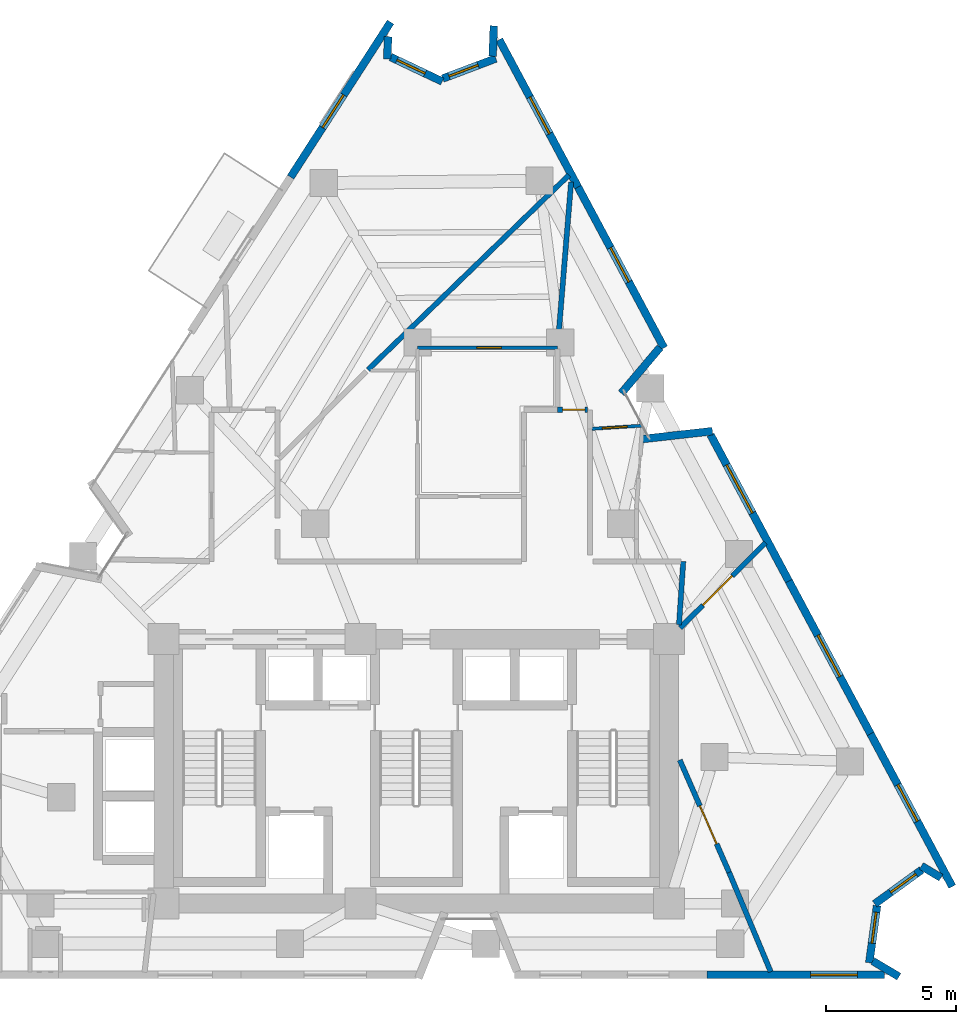
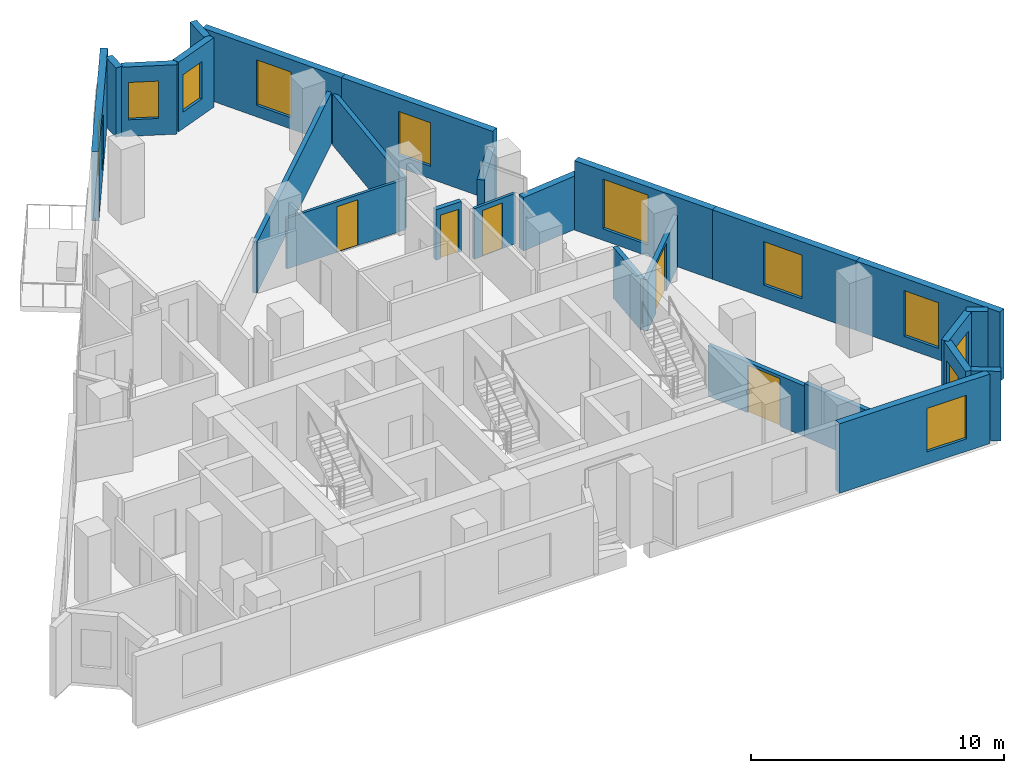
# One storey, part 8 of 10: 26 walls, 11 windows, 5 doors, 16 openings.
"""IFC4 building model written with IfcOpenShell, lengths in metres."""

from ifc_helpers import new_model, si_unit, direction, frame, frame_2d, origin, place, context, subcontext, project, spatial, rectangle, extrude, material, layer, layer_set, type_object, element, fill, save


model = new_model("IFC4")

# Units and contexts
model_context = context("Model", 3, precision=1e-05, world=origin(), true_north=direction((0.0, 1.0)))
body_context = subcontext(model_context, "Body", "Model", "MODEL_VIEW")
ifc_project = project(units=[si_unit("LENGTHUNIT", "METRE"), si_unit("AREAUNIT", "SQUARE_METRE"), si_unit("VOLUMEUNIT", "CUBIC_METRE"), si_unit("PLANEANGLEUNIT", "RADIAN"), si_unit("MASSUNIT", "GRAM", prefix="KILO")], contexts=[model_context])

# Site, building, storey
site_placement = place(None, origin())
site = spatial("IfcSite", under=ifc_project, at=site_placement, CompositionType="ELEMENT")
building_placement = place(site_placement, origin())
building = spatial("IfcBuilding", under=site, at=building_placement, Name="Almagre Mirador Tower", CompositionType="ELEMENT")
storey_placement = place(building_placement, frame((0.0, 0.0, 186.0)))
storey = spatial("IfcBuildingStorey", under=building, at=storey_placement, Name="L48", CompositionType="ELEMENT", Elevation=186.0)

# Wall, opening, window
ifc_material_1 = material(Name="Precast concrete C50/60", Category="concrete")
ifc_layer_1 = layer(ifc_material_1, 0.300048828125)
ifc_layer_set_1 = layer_set([ifc_layer_1], Name="Precast concrete C50/60")
wall_type_1 = type_object("IfcWallType", Name="WAL-EXT-300", PredefinedType="SOLIDWALL", material=ifc_layer_set_1)
wall_1_placement = place(storey_placement, frame((32.450927734375, 32.576904296875, 0.0), z_axis=(0.0, 0.0, 1.0), x_axis=(0.542031523986, 0.840358154006, 0.0)))
wall_1 = element("IfcWall", 1, at=wall_1_placement, inside=storey, type_object=wall_type_1, Name="L48 expressed almagre precast frame wall 04", PredefinedType="SOLIDWALL", context=body_context, shape_type="SweptSolid", body=[
    extrude(rectangle(XDim=7.11572265625, YDim=0.300048828125, at=frame_2d((3.557861328125, 0.0))), origin(), (0.0, 0.0, 1.0), 3.35009765625),
])
opening_1_placement = place(wall_1_placement, frame((2.27490234375, 0.0, 0.60009765625)))
opening_1 = element("IfcOpeningElement", 2, at=opening_1_placement, cuts=wall_1, Name="Opening WN-03", PredefinedType="OPENING", context=body_context, shape_type="SweptSolid", body=[
    extrude(rectangle(XDim=1.5, YDim=2.10009765625, at=frame_2d((0.75, 1.050048828125))), frame((0.0, 0.159902, 0.0), z_axis=(0.0, -1.0, 0.0), x_axis=(1.0, 0.0, 0.0)), (0.0, 0.0, 1.0), 0.320049),
])
ifc_material_2 = material(Name="Dark solar-control laminated hurricane glass", Category="glass")
window_type_1 = type_object("IfcWindowType", Name="WIN-1500X2100", PartitioningType="DOUBLE_PANEL_VERTICAL", PredefinedType="WINDOW", material=ifc_material_2)
window_1_placement = place(opening_1_placement, origin())
window_1 = element("IfcWindow", 3, at=window_1_placement, inside=storey, type_object=window_type_1, Name="L48 recessed hurricane window L48-RST-G", OverallHeight=2.10009765625, OverallWidth=1.5, PartitioningType="SINGLE_PANEL", PredefinedType="WINDOW", context=body_context, shape_type="SweptSolid", body=[
    extrude(rectangle(XDim=1.5, YDim=2.10009765625, at=frame_2d((0.75, 1.050048828125))), frame((0.0, 0.030029296875, 0.0), z_axis=(0.0, -1.0, 0.0), x_axis=(1.0, 0.0, 0.0)), (0.0, 0.0, 1.0), 0.06005859375),
])
fill(opening_1, window_1)

# Wall
wall_2_placement = place(storey_placement, frame((36.213623046875, 37.994384765625, 0.0), z_axis=(0.0, 0.0, 1.0), x_axis=(-0.040926134278, -0.999162174791, 0.0)))
element("IfcWall", 4, at=wall_2_placement, inside=storey, type_object=wall_type_1, Name="L48 expressed almagre precast frame wall 05", PredefinedType="SOLIDWALL", context=body_context, shape_type="SweptSolid", body=[
    extrude(rectangle(XDim=0.864990234375, YDim=0.300048828125, at=frame_2d((0.4326171875, 0.0))), origin(), (0.0, 0.0, 1.0), 3.35009765625),
])

# Wall, opening, window
wall_3_placement = place(storey_placement, frame((36.310546875, 37.2099609375, 0.0), z_axis=(0.0, 0.0, 1.0), x_axis=(0.903471604204, -0.428647944585, 0.0)))
wall_3 = element("IfcWall", 5, at=wall_3_placement, inside=storey, type_object=wall_type_1, Name="L48 expressed almagre precast frame wall 06", PredefinedType="SOLIDWALL", context=body_context, shape_type="SweptSolid", body=[
    extrude(rectangle(XDim=2.204833984375, YDim=0.300048828125, at=frame_2d((1.1025390625, 0.0))), origin(), (0.0, 0.0, 1.0), 3.35009765625),
])
opening_2_placement = place(wall_3_placement, frame((0.27001953125, 0.0, 0.800048828125)))
opening_2 = element("IfcOpeningElement", 6, at=opening_2_placement, cuts=wall_3, Name="Opening WN-04", PredefinedType="OPENING", context=body_context, shape_type="SweptSolid", body=[
    extrude(rectangle(XDim=1.199951171875, YDim=1.800048828125, at=frame_2d((0.60009765625, 0.89990234375))), frame((0.0, 0.159902, 0.0), z_axis=(0.0, -1.0, 0.0), x_axis=(1.0, 0.0, 0.0)), (0.0, 0.0, 1.0), 0.320049),
])
ifc_material_3 = material(Name="Dark solar-control laminated hurricane glass", Category="glass")
window_type_2 = type_object("IfcWindowType", Name="WIN-1200X1800", PartitioningType="SINGLE_PANEL", PredefinedType="WINDOW", material=ifc_material_3)
window_2_placement = place(opening_2_placement, origin())
window_2 = element("IfcWindow", 7, at=window_2_placement, inside=storey, type_object=window_type_2, Name="L48 recessed hurricane window L48-RST-G", OverallHeight=1.800048828125, OverallWidth=1.199951171875, PartitioningType="SINGLE_PANEL", PredefinedType="WINDOW", context=body_context, shape_type="SweptSolid", body=[
    extrude(rectangle(XDim=1.199951171875, YDim=1.800048828125, at=frame_2d((0.60009765625, 0.89990234375))), frame((0.0, 0.030029296875, 0.0), z_axis=(0.0, -1.0, 0.0), x_axis=(1.0, 0.0, 0.0)), (0.0, 0.0, 1.0), 0.06005859375),
])
fill(opening_2, window_2)

wall_4_placement = place(storey_placement, frame((38.31640625, 36.3779296875, 0.0), z_axis=(0.0, 0.0, 1.0), x_axis=(0.935503953589, 0.353316222129, 0.0)))
wall_4 = element("IfcWall", 8, at=wall_4_placement, inside=storey, type_object=wall_type_1, Name="L48 expressed almagre precast frame wall 07", PredefinedType="SOLIDWALL", context=body_context, shape_type="SweptSolid", body=[
    extrude(rectangle(XDim=2.1953125, YDim=0.300048828125, at=frame_2d((1.09765625, 0.0))), origin(), (0.0, 0.0, 1.0), 3.35009765625),
])
opening_3_placement = place(wall_4_placement, frame((0.260009765625, 0.0, 0.800048828125)))
opening_3 = element("IfcOpeningElement", 9, at=opening_3_placement, cuts=wall_4, Name="Opening WN-04", PredefinedType="OPENING", context=body_context, shape_type="SweptSolid", body=[
    extrude(rectangle(XDim=1.199951171875, YDim=1.800048828125, at=frame_2d((0.60009765625, 0.89990234375))), frame((0.0, 0.159902, 0.0), z_axis=(0.0, -1.0, 0.0), x_axis=(1.0, 0.0, 0.0)), (0.0, 0.0, 1.0), 0.320049),
])
window_3_placement = place(opening_3_placement, origin())
window_3 = element("IfcWindow", 10, at=window_3_placement, inside=storey, type_object=window_type_2, Name="L48 recessed hurricane window L48-RST-G", OverallHeight=1.800048828125, OverallWidth=1.199951171875, PartitioningType="SINGLE_PANEL", PredefinedType="WINDOW", context=body_context, shape_type="SweptSolid", body=[
    extrude(rectangle(XDim=1.199951171875, YDim=1.800048828125, at=frame_2d((0.60009765625, 0.89990234375))), frame((0.0, 0.030029296875, 0.0), z_axis=(0.0, -1.0, 0.0), x_axis=(1.0, 0.0, 0.0)), (0.0, 0.0, 1.0), 0.06005859375),
])
fill(opening_3, window_3)

# Wall
wall_5_placement = place(storey_placement, frame((40.24462890625, 37.239013671875, 0.0), z_axis=(0.0, 0.0, 1.0), x_axis=(0.040939027533, 0.999161646594, 0.0)))
element("IfcWall", 11, at=wall_5_placement, inside=storey, type_object=wall_type_1, Name="L48 expressed almagre precast frame wall 08", PredefinedType="SOLIDWALL", context=body_context, shape_type="SweptSolid", body=[
    extrude(rectangle(XDim=1.1748046875, YDim=0.300048828125, at=frame_2d((0.58740234375, 0.0))), origin(), (0.0, 0.0, 1.0), 3.35009765625),
])

# Wall, opening, window
wall_6_placement = place(storey_placement, frame((40.499267578125, 37.876220703125, 0.0), z_axis=(0.0, 0.0, 1.0), x_axis=(0.471749487015, -0.881732624723, 0.0)))
wall_6 = element("IfcWall", 12, at=wall_6_placement, inside=storey, type_object=wall_type_1, Name="L48 expressed almagre precast frame wall 09", PredefinedType="SOLIDWALL", context=body_context, shape_type="SweptSolid", body=[
    extrude(rectangle(XDim=6.44677734375, YDim=0.300048828125, at=frame_2d((3.223388671875, 0.0))), origin(), (0.0, 0.0, 1.0), 3.35009765625),
])
opening_4_placement = place(wall_6_placement, frame((2.510009765625, 0.0, 0.550048828125)))
opening_4 = element("IfcOpeningElement", 13, at=opening_4_placement, cuts=wall_6, Name="Opening WN-06", PredefinedType="OPENING", context=body_context, shape_type="SweptSolid", body=[
    extrude(rectangle(XDim=1.60009765625, YDim=2.199951171875, at=frame_2d((0.800048828125, 1.10009765625))), frame((0.0, 0.159902, 0.0), z_axis=(0.0, -1.0, 0.0), x_axis=(1.0, 0.0, 0.0)), (0.0, 0.0, 1.0), 0.320049),
])
ifc_material_4 = material(Name="Dark solar-control laminated hurricane glass", Category="glass")
window_type_3 = type_object("IfcWindowType", Name="WIN-1600X2200", PartitioningType="DOUBLE_PANEL_VERTICAL", PredefinedType="WINDOW", material=ifc_material_4)
window_4_placement = place(opening_4_placement, origin())
window_4 = element("IfcWindow", 14, at=window_4_placement, inside=storey, type_object=window_type_3, Name="L48 recessed hurricane window L48-RST-G", OverallHeight=2.199951171875, OverallWidth=1.60009765625, PartitioningType="SINGLE_PANEL", PredefinedType="WINDOW", context=body_context, shape_type="SweptSolid", body=[
    extrude(rectangle(XDim=1.60009765625, YDim=2.199951171875, at=frame_2d((0.800048828125, 1.10009765625))), frame((0.0, 0.030029296875, 0.0), z_axis=(0.0, -1.0, 0.0), x_axis=(1.0, 0.0, 0.0)), (0.0, 0.0, 1.0), 0.06005859375),
])
fill(opening_4, window_4)

wall_7_placement = place(storey_placement, frame((43.54052734375, 32.19189453125, 0.0), z_axis=(0.0, 0.0, 1.0), x_axis=(0.471760157183, -0.881726915827, 0.0)))
wall_7 = element("IfcWall", 15, at=wall_7_placement, inside=storey, type_object=wall_type_1, Name="L48 expressed almagre precast frame wall 10", PredefinedType="SOLIDWALL", context=body_context, shape_type="SweptSolid", body=[
    extrude(rectangle(XDim=7.03662109375, YDim=0.300048828125, at=frame_2d((3.518310546875, 0.0))), origin(), (0.0, 0.0, 1.0), 3.35009765625),
])
opening_5_placement = place(wall_7_placement, frame((2.64990234375, 0.0, 0.60009765625)))
opening_5 = element("IfcOpeningElement", 16, at=opening_5_placement, cuts=wall_7, Name="Opening WN-03", PredefinedType="OPENING", context=body_context, shape_type="SweptSolid", body=[
    extrude(rectangle(XDim=1.5, YDim=2.10009765625, at=frame_2d((0.75, 1.050048828125))), frame((0.0, 0.159902, 0.0), z_axis=(0.0, -1.0, 0.0), x_axis=(1.0, 0.0, 0.0)), (0.0, 0.0, 1.0), 0.320049),
])
window_5_placement = place(opening_5_placement, origin())
window_5 = element("IfcWindow", 17, at=window_5_placement, inside=storey, type_object=window_type_1, Name="L48 recessed hurricane window L48-UF-ST", OverallHeight=2.10009765625, OverallWidth=1.5, PartitioningType="SINGLE_PANEL", PredefinedType="WINDOW", context=body_context, shape_type="SweptSolid", body=[
    extrude(rectangle(XDim=1.5, YDim=2.10009765625, at=frame_2d((0.75, 1.050048828125))), frame((0.0, 0.030029296875, 0.0), z_axis=(0.0, -1.0, 0.0), x_axis=(1.0, 0.0, 0.0)), (0.0, 0.0, 1.0), 0.06005859375),
])
fill(opening_5, window_5)

# Walls
wall_8_placement = place(storey_placement, frame((46.706787109375, 26.0078125, 0.0), z_axis=(0.0, 0.0, 1.0), x_axis=(-0.645172623399, -0.76403683551, 0.0)))
element("IfcWall", 18, at=wall_8_placement, inside=storey, type_object=wall_type_1, Name="L48 expressed almagre precast frame wall 11", PredefinedType="SOLIDWALL", context=body_context, shape_type="SweptSolid", body=[
    extrude(rectangle(XDim=2.31884765625, YDim=0.300048828125, at=frame_2d((1.159423828125, 0.0))), origin(), (0.0, 0.0, 1.0), 2.574951171875),
])
wall_9_placement = place(storey_placement, frame((46.04052734375, 22.47216796875, 0.0), z_axis=(0.0, 0.0, 1.0), x_axis=(0.993671441146, 0.112325718565, 0.0)))
element("IfcWall", 19, at=wall_9_placement, inside=storey, type_object=wall_type_1, Name="L48 expressed almagre precast frame wall 12", PredefinedType="SOLIDWALL", context=body_context, shape_type="SweptSolid", body=[
    extrude(rectangle(XDim=2.70166015625, YDim=0.300048828125, at=frame_2d((1.350830078125, 0.0))), origin(), (0.0, 0.0, 1.0), 2.574951171875),
])

# Wall, opening, window
wall_10_placement = place(storey_placement, frame((48.652099609375, 22.636474609375, 0.0), z_axis=(0.0, 0.0, 1.0), x_axis=(0.471747381443, -0.881733751254, 0.0)))
wall_10 = element("IfcWall", 20, at=wall_10_placement, inside=storey, type_object=wall_type_1, Name="L48 expressed almagre precast frame wall 13", PredefinedType="SOLIDWALL", context=body_context, shape_type="SweptSolid", body=[
    extrude(rectangle(XDim=6.40380859375, YDim=0.300048828125, at=frame_2d((3.201904296875, 0.0))), origin(), (0.0, 0.0, 1.0), 3.35009765625),
])
opening_6_placement = place(wall_10_placement, frame((1.320068359375, 0.0, 0.550048828125)))
opening_6 = element("IfcOpeningElement", 21, at=opening_6_placement, cuts=wall_10, Name="Opening WN-05", PredefinedType="OPENING", context=body_context, shape_type="SweptSolid", body=[
    extrude(rectangle(XDim=2.10009765625, YDim=2.39990234375, at=frame_2d((1.050048828125, 1.199951171875))), frame((0.0, 0.159902, 0.0), z_axis=(0.0, -1.0, 0.0), x_axis=(1.0, 0.0, 0.0)), (0.0, 0.0, 1.0), 0.320049),
])
ifc_material_5 = material(Name="Dark solar-control laminated hurricane glass", Category="glass")
window_type_4 = type_object("IfcWindowType", Name="WIN-2100X2400", PartitioningType="DOUBLE_PANEL_VERTICAL", PredefinedType="WINDOW", material=ifc_material_5)
window_6_placement = place(opening_6_placement, origin())
window_6 = element("IfcWindow", 22, at=window_6_placement, inside=storey, type_object=window_type_4, Name="L48 recessed hurricane window L48-UF-BT", OverallHeight=2.39990234375, OverallWidth=2.10009765625, PartitioningType="SINGLE_PANEL", PredefinedType="WINDOW", context=body_context, shape_type="SweptSolid", body=[
    extrude(rectangle(XDim=2.10009765625, YDim=2.39990234375, at=frame_2d((1.050048828125, 1.199951171875))), frame((0.0, 0.030029296875, 0.0), z_axis=(0.0, -1.0, 0.0), x_axis=(1.0, 0.0, 0.0)), (0.0, 0.0, 1.0), 0.06005859375),
])
fill(opening_6, window_6)

wall_11_placement = place(storey_placement, frame((51.673095703125, 16.989990234375, 0.0), z_axis=(0.0, 0.0, 1.0), x_axis=(0.471736796599, -0.881739414303, 0.0)))
wall_11 = element("IfcWall", 23, at=wall_11_placement, inside=storey, type_object=wall_type_1, Name="L48 expressed almagre precast frame wall 14", PredefinedType="SOLIDWALL", context=body_context, shape_type="SweptSolid", body=[
    extrude(rectangle(XDim=6.683349609375, YDim=0.300048828125, at=frame_2d((3.341796875, 0.0))), origin(), (0.0, 0.0, 1.0), 3.35009765625),
])
opening_7_placement = place(wall_11_placement, frame((2.375, 0.0, 0.60009765625)))
opening_7 = element("IfcOpeningElement", 24, at=opening_7_placement, cuts=wall_11, Name="Opening WN-01", PredefinedType="OPENING", context=body_context, shape_type="SweptSolid", body=[
    extrude(rectangle(XDim=1.800048828125, YDim=2.10009765625, at=frame_2d((0.89990234375, 1.050048828125))), frame((0.0, 0.159902, 0.0), z_axis=(0.0, -1.0, 0.0), x_axis=(1.0, 0.0, 0.0)), (0.0, 0.0, 1.0), 0.320049),
])
ifc_material_6 = material(Name="Dark solar-control laminated hurricane glass", Category="glass")
window_type_5 = type_object("IfcWindowType", Name="WIN-1800X2100", PartitioningType="DOUBLE_PANEL_VERTICAL", PredefinedType="WINDOW", material=ifc_material_6)
window_7_placement = place(opening_7_placement, origin())
window_7 = element("IfcWindow", 25, at=window_7_placement, inside=storey, type_object=window_type_5, Name="L48 recessed hurricane window L48-UC-KT", OverallHeight=2.10009765625, OverallWidth=1.800048828125, PartitioningType="SINGLE_PANEL", PredefinedType="WINDOW", context=body_context, shape_type="SweptSolid", body=[
    extrude(rectangle(XDim=1.800048828125, YDim=2.10009765625, at=frame_2d((0.89990234375, 1.050048828125))), frame((0.0, 0.030029296875, 0.0), z_axis=(0.0, -1.0, 0.0), x_axis=(1.0, 0.0, 0.0)), (0.0, 0.0, 1.0), 0.06005859375),
])
fill(opening_7, window_7)

wall_12_placement = place(storey_placement, frame((54.825927734375, 11.096923828125, 0.0), z_axis=(0.0, 0.0, 1.0), x_axis=(0.471750001728, -0.881732349338, 0.0)))
wall_12 = element("IfcWall", 26, at=wall_12_placement, inside=storey, type_object=wall_type_1, Name="L48 expressed almagre precast frame wall 15", PredefinedType="SOLIDWALL", context=body_context, shape_type="SweptSolid", body=[
    extrude(rectangle(XDim=6.683837890625, YDim=0.300048828125, at=frame_2d((3.341796875, 0.0))), origin(), (0.0, 0.0, 1.0), 3.35009765625),
])
opening_8_placement = place(wall_12_placement, frame((2.22509765625, 0.0, 0.550048828125)))
opening_8 = element("IfcOpeningElement", 27, at=opening_8_placement, cuts=wall_12, Name="Opening WN-06", PredefinedType="OPENING", context=body_context, shape_type="SweptSolid", body=[
    extrude(rectangle(XDim=1.60009765625, YDim=2.199951171875, at=frame_2d((0.800048828125, 1.10009765625))), frame((0.0, 0.159902, 0.0), z_axis=(0.0, -1.0, 0.0), x_axis=(1.0, 0.0, 0.0)), (0.0, 0.0, 1.0), 0.320049),
])
window_8_placement = place(opening_8_placement, origin())
window_8 = element("IfcWindow", 28, at=window_8_placement, inside=storey, type_object=window_type_3, Name="L48 recessed hurricane window L48-UC-MB", OverallHeight=2.199951171875, OverallWidth=1.60009765625, PartitioningType="SINGLE_PANEL", PredefinedType="WINDOW", context=body_context, shape_type="SweptSolid", body=[
    extrude(rectangle(XDim=1.60009765625, YDim=2.199951171875, at=frame_2d((0.800048828125, 1.10009765625))), frame((0.0, 0.030029296875, 0.0), z_axis=(0.0, -1.0, 0.0), x_axis=(1.0, 0.0, 0.0)), (0.0, 0.0, 1.0), 0.06005859375),
])
fill(opening_8, window_8)

# Wall
wall_13_placement = place(storey_placement, frame((57.5439453125, 5.5478515625, 0.0), z_axis=(0.0, 0.0, 1.0), x_axis=(-0.857957606383, 0.513720493702, 0.0)))
element("IfcWall", 29, at=wall_13_placement, inside=storey, type_object=wall_type_1, Name="L48 expressed almagre precast frame wall 16", PredefinedType="SOLIDWALL", context=body_context, shape_type="SweptSolid", body=[
    extrude(rectangle(XDim=0.880126953125, YDim=0.300048828125, at=frame_2d((0.43994140625, 0.0))), origin(), (0.0, 0.0, 1.0), 3.35009765625),
])

# Wall, opening, window
wall_14_placement = place(storey_placement, frame((56.7998046875, 5.848876953125, 0.0), z_axis=(0.0, 0.0, 1.0), x_axis=(-0.809635036496, -0.586933648446, 0.0)))
wall_14 = element("IfcWall", 30, at=wall_14_placement, inside=storey, type_object=wall_type_1, Name="L48 expressed almagre precast frame wall 17", PredefinedType="SOLIDWALL", context=body_context, shape_type="SweptSolid", body=[
    extrude(rectangle(XDim=2.24072265625, YDim=0.300048828125, at=frame_2d((1.120361328125, 0.0))), origin(), (0.0, 0.0, 1.0), 3.35009765625),
])
opening_9_placement = place(wall_14_placement, frame((0.27490234375, 0.0, 0.800048828125)))
opening_9 = element("IfcOpeningElement", 31, at=opening_9_placement, cuts=wall_14, Name="Opening WN-04", PredefinedType="OPENING", context=body_context, shape_type="SweptSolid", body=[
    extrude(rectangle(XDim=1.199951171875, YDim=1.800048828125, at=frame_2d((0.60009765625, 0.89990234375))), frame((0.0, 0.159902, 0.0), z_axis=(0.0, -1.0, 0.0), x_axis=(1.0, 0.0, 0.0)), (0.0, 0.0, 1.0), 0.320049),
])
window_9_placement = place(opening_9_placement, origin())
window_9 = element("IfcWindow", 32, at=window_9_placement, inside=storey, type_object=window_type_2, Name="L48 recessed hurricane window L48-UC-MB", OverallHeight=1.800048828125, OverallWidth=1.199951171875, PartitioningType="SINGLE_PANEL", PredefinedType="WINDOW", context=body_context, shape_type="SweptSolid", body=[
    extrude(rectangle(XDim=1.199951171875, YDim=1.800048828125, at=frame_2d((0.60009765625, 0.89990234375))), frame((0.0, 0.030029296875, 0.0), z_axis=(0.0, -1.0, 0.0), x_axis=(1.0, 0.0, 0.0)), (0.0, 0.0, 1.0), 0.06005859375),
])
fill(opening_9, window_9)

wall_15_placement = place(storey_placement, frame((55.07861328125, 4.46728515625, 0.0), z_axis=(0.0, 0.0, 1.0), x_axis=(-0.135475439613, -0.99078070493, 0.0)))
wall_15 = element("IfcWall", 33, at=wall_15_placement, inside=storey, type_object=wall_type_1, Name="L48 expressed almagre precast frame wall 18", PredefinedType="SOLIDWALL", context=body_context, shape_type="SweptSolid", body=[
    extrude(rectangle(XDim=2.2255859375, YDim=0.300048828125, at=frame_2d((1.11279296875, 0.0))), origin(), (0.0, 0.0, 1.0), 3.35009765625),
])
opening_10_placement = place(wall_15_placement, frame((0.260009765625, 0.0, 0.800048828125)))
opening_10 = element("IfcOpeningElement", 34, at=opening_10_placement, cuts=wall_15, Name="Opening WN-04", PredefinedType="OPENING", context=body_context, shape_type="SweptSolid", body=[
    extrude(rectangle(XDim=1.199951171875, YDim=1.800048828125, at=frame_2d((0.60009765625, 0.89990234375))), frame((0.0, 0.159902, 0.0), z_axis=(0.0, -1.0, 0.0), x_axis=(1.0, 0.0, 0.0)), (0.0, 0.0, 1.0), 0.320049),
])
window_10_placement = place(opening_10_placement, origin())
window_10 = element("IfcWindow", 35, at=window_10_placement, inside=storey, type_object=window_type_2, Name="L48 recessed hurricane window L48-UC-MB", OverallHeight=1.800048828125, OverallWidth=1.199951171875, PartitioningType="SINGLE_PANEL", PredefinedType="WINDOW", context=body_context, shape_type="SweptSolid", body=[
    extrude(rectangle(XDim=1.199951171875, YDim=1.800048828125, at=frame_2d((0.60009765625, 0.89990234375))), frame((0.0, 0.030029296875, 0.0), z_axis=(0.0, -1.0, 0.0), x_axis=(1.0, 0.0, 0.0)), (0.0, 0.0, 1.0), 0.06005859375),
])
fill(opening_10, window_10)

# Wall
wall_16_placement = place(storey_placement, frame((54.911865234375, 2.331787109375, 0.0), z_axis=(0.0, 0.0, 1.0), x_axis=(0.857950827386, -0.513731815043, 0.0)))
element("IfcWall", 36, at=wall_16_placement, inside=storey, type_object=wall_type_1, Name="L48 expressed almagre precast frame wall 19", PredefinedType="SOLIDWALL", context=body_context, shape_type="SweptSolid", body=[
    extrude(rectangle(XDim=1.17529296875, YDim=0.300048828125, at=frame_2d((0.587646484375, 0.0))), origin(), (0.0, 0.0, 1.0), 3.35009765625),
])

# Wall, opening, window
wall_17_placement = place(storey_placement, frame((55.3701171875, 1.800048828125, 0.0), z_axis=(0.0, 0.0, 1.0), x_axis=(-1.0, 0.0, 0.0)))
wall_17 = element("IfcWall", 37, at=wall_17_placement, inside=storey, type_object=wall_type_1, Name="L48 expressed almagre precast frame wall 20", PredefinedType="SOLIDWALL", context=body_context, shape_type="SweptSolid", body=[
    extrude(rectangle(XDim=6.85205078125, YDim=0.300048828125, at=frame_2d((3.426025390625, 0.0))), origin(), (0.0, 0.0, 1.0), 3.35009765625),
])
opening_11_placement = place(wall_17_placement, frame((1.054931640625, 0.0, 0.60009765625)))
opening_11 = element("IfcOpeningElement", 38, at=opening_11_placement, cuts=wall_17, Name="Opening WN-01", PredefinedType="OPENING", context=body_context, shape_type="SweptSolid", body=[
    extrude(rectangle(XDim=1.800048828125, YDim=2.10009765625, at=frame_2d((0.89990234375, 1.050048828125))), frame((0.0, 0.159902, 0.0), z_axis=(0.0, -1.0, 0.0), x_axis=(1.0, 0.0, 0.0)), (0.0, 0.0, 1.0), 0.320049),
])
window_11_placement = place(opening_11_placement, origin())
window_11 = element("IfcWindow", 39, at=window_11_placement, inside=storey, type_object=window_type_5, Name="L48 recessed hurricane window L48-UC-MB", OverallHeight=2.10009765625, OverallWidth=1.800048828125, PartitioningType="SINGLE_PANEL", PredefinedType="WINDOW", context=body_context, shape_type="SweptSolid", body=[
    extrude(rectangle(XDim=1.800048828125, YDim=2.10009765625, at=frame_2d((0.89990234375, 1.050048828125))), frame((0.0, 0.030029296875, 0.0), z_axis=(0.0, -1.0, 0.0), x_axis=(1.0, 0.0, 0.0)), (0.0, 0.0, 1.0), 0.06005859375),
])
fill(opening_11, window_11)

# Wall, opening, door
ifc_material_7 = material(Name="Gypsum acoustic stud partition", Category="other")
ifc_layer_2 = layer(ifc_material_7, 0.125)
ifc_layer_set_2 = layer_set([ifc_layer_2], Name="Gypsum acoustic stud partition")
wall_type_2 = type_object("IfcWallType", Name="WAL-PRT-125-UTL", PredefinedType="PARTITIONING", material=ifc_layer_set_2)
wall_18_placement = place(storey_placement, frame((42.75, 25.989990234375, 0.0), z_axis=(0.0, 0.0, 1.0), x_axis=(-1.0, 0.0, 0.0)))
wall_18 = element("IfcWall", 40, at=wall_18_placement, inside=storey, type_object=wall_type_2, Name="L48 interior partition 044", PredefinedType="PARTITIONING", context=body_context, shape_type="SweptSolid", body=[
    extrude(rectangle(XDim=5.39990234375, YDim=0.125, at=frame_2d((2.699951171875, 0.0))), origin(), (0.0, 0.0, 1.0), 2.43603515625),
])
opening_12_placement = place(wall_18_placement, frame((2.165283203125, 0.0, 0.0)))
opening_12 = element("IfcOpeningElement", 41, at=opening_12_placement, cuts=wall_18, Name="Opening UD-01", PredefinedType="OPENING", context=body_context, shape_type="SweptSolid", body=[
    extrude(rectangle(XDim=0.949951171875, YDim=2.199951171875, at=frame_2d((0.47509765625, 1.10009765625))), frame((0.0, 0.0725, 0.0), z_axis=(0.0, -1.0, 0.0), x_axis=(1.0, 0.0, 0.0)), (0.0, 0.0, 1.0), 0.145),
])
ifc_material_8 = material(Name="Solid American walnut timber", Category="wood")
door_type_1 = type_object("IfcDoorType", Name="DOR-UNR-950X2200", OperationType="NOTDEFINED", PredefinedType="DOOR", material=ifc_material_8)
door_1_placement = place(opening_12_placement, origin())
door_1 = element("IfcDoor", 42, at=door_1_placement, inside=storey, type_object=door_type_1, Name="DR-1524 L48 interior door L48-UE-LV to L48-UE-KT", OperationType="SINGLE_SWING_RIGHT", OverallHeight=2.199951171875, OverallWidth=0.949951171875, PredefinedType="DOOR", context=body_context, shape_type="SweptSolid", body=[
    extrude(rectangle(XDim=0.949951171875, YDim=2.199951171875, at=frame_2d((0.47509765625, 1.10009765625))), frame((0.0, 0.02490234375, 0.0), z_axis=(0.0, -1.0, 0.0), x_axis=(1.0, 0.0, 0.0)), (0.0, 0.0, 1.0), 0.050048828125),
])
fill(opening_12, door_1)

wall_19_placement = place(storey_placement, frame((44.084716796875, 22.865234375, 0.0), z_axis=(0.0, 0.0, 1.0), x_axis=(0.998038887388, 0.062596958875, 0.0)))
wall_19 = element("IfcWall", 43, at=wall_19_placement, inside=storey, type_object=wall_type_2, Name="L48 interior partition 053", PredefinedType="PARTITIONING", context=body_context, shape_type="SweptSolid", body=[
    extrude(rectangle(XDim=1.9462890625, YDim=0.125, at=frame_2d((0.97314453125, 0.0))), origin(), (0.0, 0.0, 1.0), 2.43603515625),
])
opening_13_placement = place(wall_19_placement, frame((0.398193359375, 0.0, 0.0)))
opening_13 = element("IfcOpeningElement", 44, at=opening_13_placement, cuts=wall_19, Name="Opening UD-01", PredefinedType="OPENING", context=body_context, shape_type="SweptSolid", body=[
    extrude(rectangle(XDim=0.949951171875, YDim=2.199951171875, at=frame_2d((0.47509765625, 1.10009765625))), frame((0.0, 0.0725, 0.0), z_axis=(0.0, -1.0, 0.0), x_axis=(1.0, 0.0, 0.0)), (0.0, 0.0, 1.0), 0.145),
])
door_2_placement = place(opening_13_placement, origin())
door_2 = element("IfcDoor", 45, at=door_2_placement, inside=storey, type_object=door_type_1, Name="DR-1528 L48 interior door L48-UF-ST to L48-UF-KT", OperationType="SINGLE_SWING_LEFT", OverallHeight=2.199951171875, OverallWidth=0.949951171875, PredefinedType="DOOR", context=body_context, shape_type="SweptSolid", body=[
    extrude(rectangle(XDim=0.949951171875, YDim=2.199951171875, at=frame_2d((0.47509765625, 1.10009765625))), frame((0.0, 0.02490234375, 0.0), z_axis=(0.0, -1.0, 0.0), x_axis=(1.0, 0.0, 0.0)), (0.0, 0.0, 1.0), 0.050048828125),
])
fill(opening_13, door_2)

ifc_material_9 = material(Name="Gypsum acoustic stud partition", Category="other")
ifc_layer_3 = layer(ifc_material_9, 0.199951171875)
ifc_layer_set_3 = layer_set([ifc_layer_3], Name="Gypsum acoustic stud partition")
wall_type_3 = type_object("IfcWallType", Name="WAL-PRT-200-EI60", PredefinedType="PARTITIONING", material=ifc_layer_set_3)
wall_20_placement = place(storey_placement, frame((43.9150390625, 23.60009765625, 0.0), z_axis=(0.0, 0.0, 1.0), x_axis=(-1.0, 0.0, 0.0)))
wall_20 = element("IfcWall", 46, at=wall_20_placement, inside=storey, type_object=wall_type_3, Name="L48 interior partition 015", PredefinedType="PARTITIONING", context=body_context, shape_type="SweptSolid", body=[
    extrude(rectangle(XDim=1.1650390625, YDim=0.199951171875, at=frame_2d((0.58251953125, 0.0))), origin(), (0.0, 0.0, 1.0), 2.43603515625),
])
opening_14_placement = place(wall_20_placement, frame((0.114990234375, 0.0, 0.0)))
opening_14 = element("IfcOpeningElement", 47, at=opening_14_placement, cuts=wall_20, Name="Opening ID-06", PredefinedType="OPENING", context=body_context, shape_type="SweptSolid", body=[
    extrude(rectangle(XDim=0.85009765625, YDim=2.10009765625, at=frame_2d((0.425048828125, 1.050048828125))), frame((0.0, 0.110098, 0.0), z_axis=(0.0, -1.0, 0.0), x_axis=(1.0, 0.0, 0.0)), (0.0, 0.0, 1.0), 0.219951),
])
ifc_material_10 = material(Name="Fire-rated hollow steel", Category="steel")
door_type_2 = type_object("IfcDoorType", Name="DOR-FD60-850X2100", OperationType="NOTDEFINED", PredefinedType="DOOR", material=ifc_material_10)
door_3_placement = place(opening_14_placement, origin())
door_3 = element("IfcDoor", 48, at=door_3_placement, inside=storey, type_object=door_type_2, Name="DR-1527 L48 interior door L48-RCOR to L48-UF-ST", OperationType="SINGLE_SWING_RIGHT", OverallHeight=2.10009765625, OverallWidth=0.85009765625, PredefinedType="DOOR", context=body_context, shape_type="SweptSolid", body=[
    extrude(rectangle(XDim=0.85009765625, YDim=2.10009765625, at=frame_2d((0.425048828125, 1.050048828125))), frame((0.0, 0.02490234375, 0.0), z_axis=(0.0, -1.0, 0.0), x_axis=(1.0, 0.0, 0.0)), (0.0, 0.0, 1.0), 0.050048828125),
])
fill(opening_14, door_3)

# Wall
wall_21_placement = place(storey_placement, frame((47.43701171875, 15.3046875, 0.0), z_axis=(0.0, 0.0, 1.0), x_axis=(0.066545458009, 0.997783394339, 0.0)))
element("IfcWall", 49, at=wall_21_placement, inside=storey, type_object=wall_type_3, Name="L48 interior partition 016", PredefinedType="PARTITIONING", context=body_context, shape_type="SweptSolid", body=[
    extrude(rectangle(XDim=2.45068359375, YDim=0.199951171875, at=frame_2d((1.225341796875, 0.0))), origin(), (0.0, 0.0, 1.0), 2.464111328125),
])

# Wall, opening, door
wall_22_placement = place(storey_placement, frame((49.3701171875, 5.75, 0.0), z_axis=(0.0, 0.0, 1.0), x_axis=(-0.402056440703, 0.915614885467, 0.0)))
wall_22 = element("IfcWall", 50, at=wall_22_placement, inside=storey, type_object=wall_type_3, Name="L48 interior partition 030", PredefinedType="PARTITIONING", context=body_context, shape_type="SweptSolid", body=[
    extrude(rectangle(XDim=4.73828125, YDim=0.199951171875, at=frame_2d((2.369140625, 0.0))), origin(), (0.0, 0.0, 1.0), 2.43603515625),
])
opening_15_placement = place(wall_22_placement, frame((1.204833984375, 0.0, 0.0)))
opening_15 = element("IfcOpeningElement", 51, at=opening_15_placement, cuts=wall_22, Name="Opening ID-05", PredefinedType="OPENING", context=body_context, shape_type="SweptSolid", body=[
    extrude(rectangle(XDim=1.60009765625, YDim=2.300048828125, at=frame_2d((0.800048828125, 1.14990234375))), frame((0.0, 0.110098, 0.0), z_axis=(0.0, -1.0, 0.0), x_axis=(1.0, 0.0, 0.0)), (0.0, 0.0, 1.0), 0.219951),
])
ifc_material_11 = material(Name="Fire-rated acoustic timber", Category="wood")
door_type_3 = type_object("IfcDoorType", Name="DOR-FD60-1600X2300", OperationType="DOUBLE_DOOR_SINGLE_SWING", PredefinedType="DOOR", material=ifc_material_11)
door_4_placement = place(opening_15_placement, origin())
door_4 = element("IfcDoor", 52, at=door_4_placement, inside=storey, type_object=door_type_3, Name="DR-1530 L48 interior door L48-UA-LV to L48-UC-KT", OperationType="DOUBLE_DOOR_SINGLE_SWING", OverallHeight=2.300048828125, OverallWidth=1.60009765625, PredefinedType="DOOR", context=body_context, shape_type="SweptSolid", body=[
    extrude(rectangle(XDim=1.60009765625, YDim=2.300048828125, at=frame_2d((0.800048828125, 1.14990234375))), frame((0.0, 0.02490234375, 0.0), z_axis=(0.0, -1.0, 0.0), x_axis=(1.0, 0.0, 0.0)), (0.0, 0.0, 1.0), 0.050048828125),
])
fill(opening_15, door_4)

# Wall
wall_23_placement = place(storey_placement, frame((50.97509765625, 1.9169921875, 0.0), z_axis=(0.0, 0.0, 1.0), x_axis=(-0.386233418948, 0.922401076586, 0.0)))
element("IfcWall", 53, at=wall_23_placement, inside=storey, type_object=wall_type_3, Name="L48 interior partition 031", PredefinedType="PARTITIONING", context=body_context, shape_type="SweptSolid", body=[
    extrude(rectangle(XDim=4.155517578125, YDim=0.199951171875, at=frame_2d((2.07763671875, 0.0))), origin(), (0.0, 0.0, 1.0), 2.570068359375),
])

# Wall, opening, door
wall_24_placement = place(storey_placement, frame((50.77392578125, 18.469970703125, 0.0), z_axis=(0.0, 0.0, 1.0), x_axis=(-0.70755309569, -0.706660184798, 0.0)))
wall_24 = element("IfcWall", 54, at=wall_24_placement, inside=storey, type_object=wall_type_3, Name="L48 interior partition 038", PredefinedType="PARTITIONING", context=body_context, shape_type="SweptSolid", body=[
    extrude(rectangle(XDim=4.648193359375, YDim=0.199951171875, at=frame_2d((2.32421875, 0.0))), origin(), (0.0, 0.0, 1.0), 2.464111328125),
])
opening_16_placement = place(wall_24_placement, frame((1.812744140625, 0.0, 0.0)))
opening_16 = element("IfcOpeningElement", 55, at=opening_16_placement, cuts=wall_24, Name="Opening ID-05", PredefinedType="OPENING", context=body_context, shape_type="SweptSolid", body=[
    extrude(rectangle(XDim=1.60009765625, YDim=2.300048828125, at=frame_2d((0.800048828125, 1.14990234375))), frame((0.0, 0.110098, 0.0), z_axis=(0.0, -1.0, 0.0), x_axis=(1.0, 0.0, 0.0)), (0.0, 0.0, 1.0), 0.219951),
])
door_5_placement = place(opening_16_placement, origin())
door_5 = element("IfcDoor", 56, at=door_5_placement, inside=storey, type_object=door_type_3, Name="DR-1531 L48 interior door L48-UC-MB to L48-UF-BT", OperationType="DOUBLE_DOOR_SINGLE_SWING", OverallHeight=2.300048828125, OverallWidth=1.60009765625, PredefinedType="DOOR", context=body_context, shape_type="SweptSolid", body=[
    extrude(rectangle(XDim=1.60009765625, YDim=2.300048828125, at=frame_2d((0.800048828125, 1.14990234375))), frame((0.0, 0.02490234375, 0.0), z_axis=(0.0, -1.0, 0.0), x_axis=(1.0, 0.0, 0.0)), (0.0, 0.0, 1.0), 0.050048828125),
])
fill(opening_16, door_5)

# Walls
wall_25_placement = place(storey_placement, frame((42.75341796875, 26.037353515625, 0.0), z_axis=(0.0, 0.0, 1.0), x_axis=(0.081560923922, 0.996668357925, 0.0)))
element("IfcWall", 57, at=wall_25_placement, inside=storey, type_object=wall_type_3, Name="L48 interior partition 050", PredefinedType="PARTITIONING", context=body_context, shape_type="SweptSolid", body=[
    extrude(rectangle(XDim=6.369873046875, YDim=0.199951171875, at=frame_2d((3.18505859375, 0.0))), origin(), (0.0, 0.0, 1.0), 2.464111328125),
])
wall_26_placement = place(storey_placement, frame((43.18701171875, 32.652099609375, 0.0), z_axis=(0.0, 0.0, 1.0), x_axis=(-0.718315109046, -0.695717905559, 0.0)))
element("IfcWall", 58, at=wall_26_placement, inside=storey, type_object=wall_type_3, Name="L48 interior partition 051", PredefinedType="PARTITIONING", context=body_context, shape_type="SweptSolid", body=[
    extrude(rectangle(XDim=10.793212890625, YDim=0.199951171875, at=frame_2d((5.396484375, 0.0))), origin(), (0.0, 0.0, 1.0), 2.464111328125),
])

save(model, "model.ifc")
